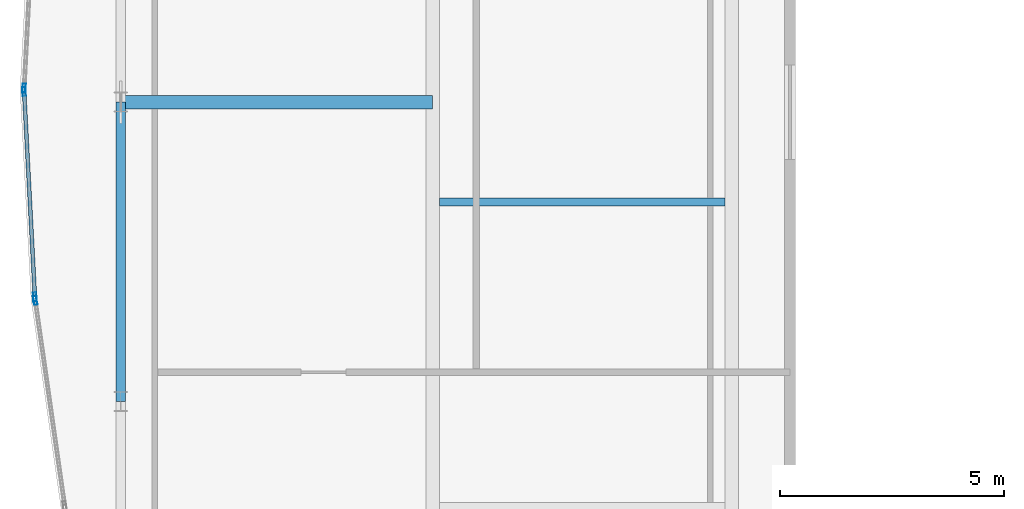
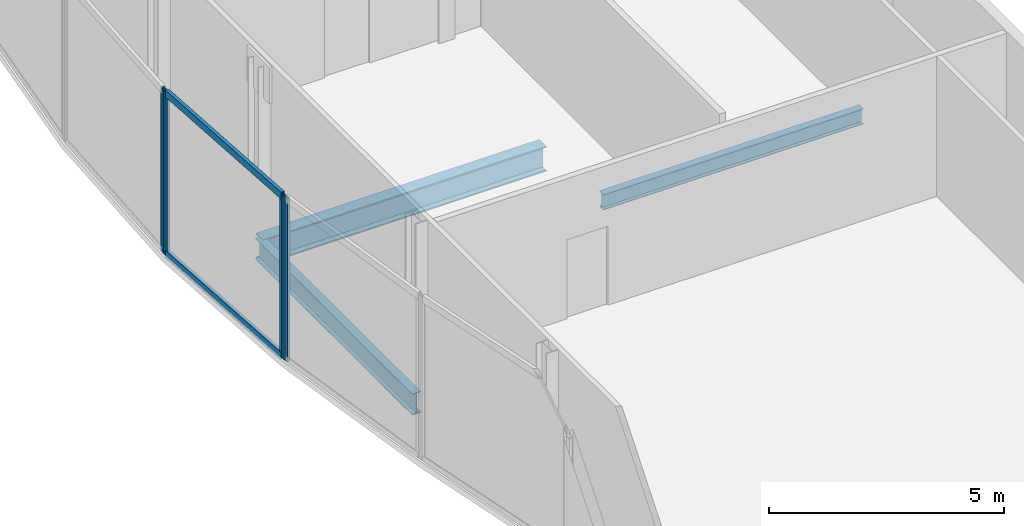
# One storey, part 9 of 27: 6 members, 3 beams, 3 elements without a shape of their own.
"""IFC4 building model written with IfcOpenShell, lengths in metres."""

from ifc_helpers import new_model, si_unit, direction, frame, origin, origin_2d, place, context, subcontext, project, spatial, hollow_rectangle, i_section, extrude, material, material_profile, profile_set, type_object, element, aggregate, save


model = new_model("IFC4")

# Units and contexts
model_context = context("Model", 3, precision=1e-05, world=origin(), true_north=direction((0.0, 1.0)))
body_context = subcontext(model_context, "Body", "Model", "MODEL_VIEW")
ifc_project = project(units=[si_unit("LENGTHUNIT", "METRE"), si_unit("AREAUNIT", "SQUARE_METRE"), si_unit("VOLUMEUNIT", "CUBIC_METRE"), si_unit("PLANEANGLEUNIT", "RADIAN"), si_unit("MASSUNIT", "GRAM", prefix="KILO")], contexts=[model_context])

# Site, building, storey
site_placement = place(None, origin())
site = spatial("IfcSite", under=ifc_project, at=site_placement, CompositionType="ELEMENT")
building_placement = place(site_placement, origin())
building = spatial("IfcBuilding", under=site, at=building_placement, Name="Khoronbel Lancet Exchange", CompositionType="ELEMENT")
storey_placement = place(building_placement, frame((0.0, 0.0, 310.199951171875)))
storey = spatial("IfcBuildingStorey", under=building, at=storey_placement, Name="L80", CompositionType="ELEMENT", Elevation=310.199951171875)

# Beams
ifc_material_1 = material(Name="Steel S355", Category="steel")
ifc_material_profile_1 = material_profile(ifc_material_1, i_section(OverallWidth=0.300048828125, OverallDepth=0.64990234375, WebThickness=0.01611328125, FlangeThickness=0.031005859375, at=origin_2d()), Name="HEB 650")
ifc_profile_set_1 = profile_set([ifc_material_profile_1], Name="Steel S355")
beam_type_1 = type_object("IfcBeamType", Name="BM-BG4", PredefinedType="BEAM", material=ifc_profile_set_1)
beam_1_placement = place(storey_placement, frame((11.27001953125, 31.425048828125, -0.48486328125), z_axis=(1.0, 0.0, 0.0), x_axis=(0.0, 1.0, 0.0)))
element("IfcBeam", 1, at=beam_1_placement, inside=storey, type_object=beam_type_1, Name="Level L80 west lens tie girder LG2W", PredefinedType="BEAM", context=body_context, shape_type="SweptSolid", body=[
    extrude(i_section(OverallWidth=0.300048828125, OverallDepth=0.64990234375, WebThickness=0.01611328125, FlangeThickness=0.031005859375, at=origin_2d()), origin(), (0.0, 0.0, 1.0), 6.955078125),
])
ifc_material_profile_2 = material_profile(ifc_material_1, i_section(OverallWidth=0.179931640625, OverallDepth=0.39990234375, WebThickness=0.008544921875, FlangeThickness=0.013427734375, at=origin_2d()), Name="IPE 400")
ifc_profile_set_2 = profile_set([ifc_material_profile_2], Name="Steel S355")
beam_type_2 = type_object("IfcBeamType", Name="BM-BJ5", PredefinedType="JOIST", material=ifc_profile_set_2)
beam_2_placement = place(storey_placement, frame((18.375, 29.199951171875, -0.35986328125), z_axis=(1.0, 0.0, 0.0), x_axis=(0.0, 1.0, 0.0)))
element("IfcBeam", 2, at=beam_2_placement, inside=storey, type_object=beam_type_2, Name="Level L80 secondary composite joist J05", PredefinedType="JOIST", context=body_context, shape_type="SweptSolid", body=[
    extrude(i_section(OverallWidth=0.179931640625, OverallDepth=0.39990234375, WebThickness=0.008544921875, FlangeThickness=0.013427734375, at=origin_2d()), origin(), (0.0, 0.0, 1.0), 6.375),
])
ifc_material_profile_3 = material_profile(ifc_material_1, i_section(OverallWidth=0.2099609375, OverallDepth=0.550048828125, WebThickness=0.010986328125, FlangeThickness=0.01708984375, at=origin_2d()), Name="IPE 550")
ifc_profile_set_3 = profile_set([ifc_material_profile_3], Name="Steel S355")
beam_type_3 = type_object("IfcBeamType", Name="BM-BSP3", PredefinedType="SPANDREL", material=ifc_profile_set_3)
beam_3_placement = place(storey_placement, frame((11.27001953125, 31.425048828125, -0.43505859375), z_axis=(0.0, -1.0, 0.0), x_axis=(1.0, 0.0, 0.0)))
element("IfcBeam", 3, at=beam_3_placement, inside=storey, type_object=beam_type_3, Name="Level L80 perimeter spandrel beam SP17", PredefinedType="SPANDREL", context=body_context, shape_type="SweptSolid", body=[
    extrude(i_section(OverallWidth=0.2099609375, OverallDepth=0.550048828125, WebThickness=0.010986328125, FlangeThickness=0.01708984375, at=origin_2d()), origin(), (0.0, 0.0, 1.0), 6.675048828125),
])

# Curtain wall, member
ifc_material_2 = material(Name="Low-E Solar Control Insulating Glass", Category="glass")
curtain_wall_type = type_object("IfcCurtainWallType", Name="CW-4", PredefinedType="NOTDEFINED", material=ifc_material_2)
curtain_wall_1_placement = place(storey_placement, origin())
curtain_wall_1 = element("IfcCurtainWall", 4, at=curtain_wall_1_placement, inside=storey, type_object=curtain_wall_type, Name="Unitised curtain wall CW-L80-E05", PredefinedType="NOTDEFINED")
ifc_material_3 = material(Name="Bronze-Anodised Aluminium 6063-T6", Category="aluminium")
ifc_material_profile_4 = material_profile(ifc_material_3, hollow_rectangle(XDim=0.074951171875, YDim=0.199951171875, WallThickness=0.0048828125, at=origin_2d()), Name="ALU MULLION 75x200")
ifc_profile_set_4 = profile_set([ifc_material_profile_4], Name="Bronze-Anodised Aluminium 6063-T6")
member_type_1 = type_object("IfcMemberType", Name="MEM-CWM2", PredefinedType="MULLION", material=ifc_profile_set_4)
member_1_placement = place(storey_placement, frame((9.362060546875, 27.0048828125, 0.0), z_axis=(0.0, 0.0, 1.0), x_axis=(-0.989880131819, -0.141906041556, 0.0)))
member_1 = element("IfcMember", 5, at=member_1_placement, type_object=member_type_1, Name="CW4 mullion 2", PredefinedType="MULLION", context=body_context, shape_type="SweptSolid", body=[
    extrude(hollow_rectangle(XDim=0.074951171875, YDim=0.199951171875, WallThickness=0.0048828125, at=origin_2d()), origin(), (0.0, 0.0, 1.0), 4.239990234375),
])
aggregate(curtain_wall_1, [member_1])

# Curtain wall, members
curtain_wall_2_placement = place(storey_placement, origin())
curtain_wall_2 = element("IfcCurtainWall", 6, at=curtain_wall_2_placement, inside=storey, type_object=curtain_wall_type, Name="Unitised curtain wall CW-L80-E06", PredefinedType="NOTDEFINED")
member_2_placement = place(storey_placement, frame((9.354736328125, 27.07958984375, 0.0), z_axis=(0.0, 0.0, 1.0), x_axis=(-0.998625163462, -0.052419298932, 0.0)))
member_2 = element("IfcMember", 7, at=member_2_placement, type_object=member_type_1, Name="CW4 mullion 1", PredefinedType="MULLION", context=body_context, shape_type="SweptSolid", body=[
    extrude(hollow_rectangle(XDim=0.074951171875, YDim=0.199951171875, WallThickness=0.0048828125, at=origin_2d()), origin(), (0.0, 0.0, 1.0), 4.239990234375),
])
member_3_placement = place(storey_placement, frame((9.1142578125, 31.66259765625, 0.0), z_axis=(0.0, 0.0, 1.0), x_axis=(-0.998625163462, -0.052419298932, 0.0)))
member_3 = element("IfcMember", 8, at=member_3_placement, type_object=member_type_1, Name="CW4 mullion 2", PredefinedType="MULLION", context=body_context, shape_type="SweptSolid", body=[
    extrude(hollow_rectangle(XDim=0.074951171875, YDim=0.199951171875, WallThickness=0.0048828125, at=origin_2d()), origin(), (0.0, 0.0, 1.0), 4.239990234375),
])

# Curtain wall, member
curtain_wall_3_placement = place(storey_placement, origin())
curtain_wall_3 = element("IfcCurtainWall", 9, at=curtain_wall_3_placement, inside=storey, type_object=curtain_wall_type, Name="Unitised curtain wall CW-L80-E07", PredefinedType="NOTDEFINED")
member_4_placement = place(storey_placement, frame((9.1142578125, 31.737548828125, 0.0), z_axis=(0.0, 0.0, 1.0), x_axis=(-0.998625163462, 0.052419298932, 0.0)))
member_4 = element("IfcMember", 10, at=member_4_placement, type_object=member_type_1, Name="CW4 mullion 1", PredefinedType="MULLION", context=body_context, shape_type="SweptSolid", body=[
    extrude(hollow_rectangle(XDim=0.074951171875, YDim=0.199951171875, WallThickness=0.0048828125, at=origin_2d()), origin(), (0.0, 0.0, 1.0), 4.239990234375),
])
aggregate(curtain_wall_3, [member_4])

# Member
ifc_material_profile_5 = material_profile(ifc_material_3, hollow_rectangle(XDim=0.0849609375, YDim=0.179931640625, WallThickness=0.0048828125, at=origin_2d()), Name="ALU TRANSOM 85x180")
ifc_profile_set_5 = profile_set([ifc_material_profile_5], Name="Bronze-Anodised Aluminium 6063-T6")
member_type_2 = type_object("IfcMemberType", Name="MEM-CWT1", PredefinedType="USERDEFINED", material=ifc_profile_set_5)
member_5_placement = place(storey_placement, frame((9.352783203125, 27.116943359375, 0.04248046875), z_axis=(-0.052405550102, 0.998625885063, 0.0), x_axis=(-0.998625885063, -0.052405550102, 0.0)))
member_5 = element("IfcMember", 11, at=member_5_placement, type_object=member_type_2, Name="CW4 transom 1.1", ObjectType="TRANSOM", PredefinedType="USERDEFINED", context=body_context, shape_type="SweptSolid", body=[
    extrude(hollow_rectangle(XDim=0.0849609375, YDim=0.179931640625, WallThickness=0.0048828125, at=origin_2d()), origin(), (0.0, 0.0, 1.0), 4.51416015625),
])

member_6_placement = place(storey_placement, frame((9.352783203125, 27.116943359375, 4.197509765625), z_axis=(-0.052405550102, 0.998625885063, 0.0), x_axis=(-0.998625885063, -0.052405550102, 0.0)))
member_6 = element("IfcMember", 12, at=member_6_placement, type_object=member_type_2, Name="CW4 transom 1.2", ObjectType="TRANSOM", PredefinedType="USERDEFINED", context=body_context, shape_type="SweptSolid", body=[
    extrude(hollow_rectangle(XDim=0.0849609375, YDim=0.179931640625, WallThickness=0.0048828125, at=origin_2d()), origin(), (0.0, 0.0, 1.0), 4.51416015625),
])

aggregate(curtain_wall_2, [member_2, member_3, member_5, member_6])

save(model, "model.ifc")
